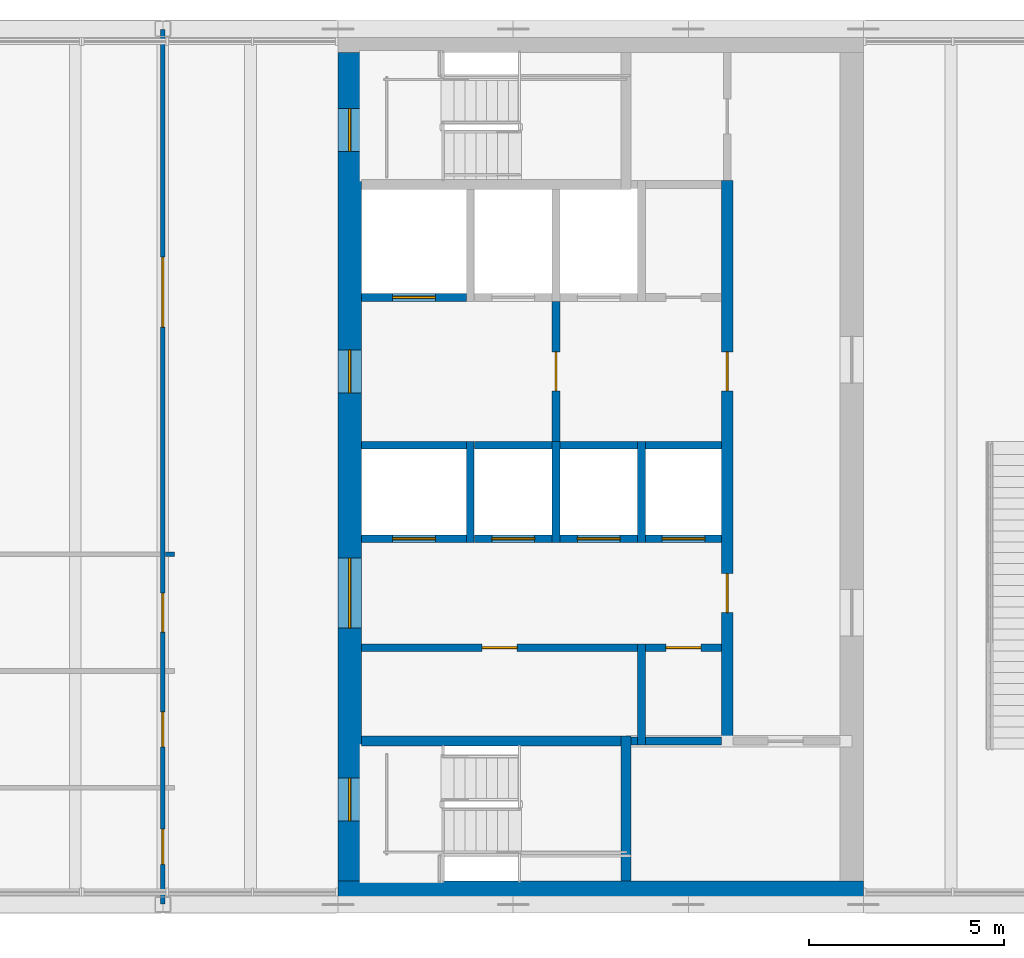
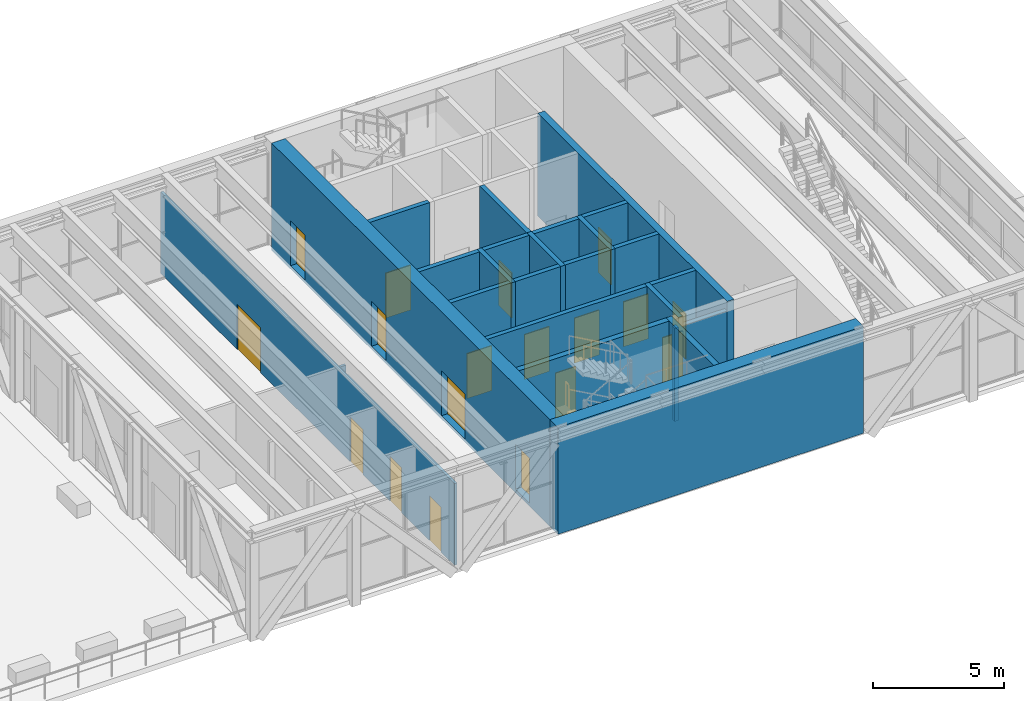
# One storey, part 8 of 13: 25 walls, 18 doors, 18 openings.
"""IFC4 building model written with IfcOpenShell, lengths in metres."""

from ifc_helpers import new_model, si_unit, direction, frame, frame_2d, origin, place, context, subcontext, project, spatial, rectangle, extrude, material, layer, layer_set, type_object, element, fill, save


model = new_model("IFC4")

# Units and contexts
model_context = context("Model", 3, precision=1e-05, world=origin(), true_north=direction((0.0, 1.0)))
body_context = subcontext(model_context, "Body", "Model", "MODEL_VIEW")
ifc_project = project(units=[si_unit("LENGTHUNIT", "METRE"), si_unit("AREAUNIT", "SQUARE_METRE"), si_unit("VOLUMEUNIT", "CUBIC_METRE"), si_unit("PLANEANGLEUNIT", "RADIAN"), si_unit("MASSUNIT", "GRAM", prefix="KILO")], contexts=[model_context])

# Site, building, storey
site_placement = place(None, origin())
site = spatial("IfcSite", under=ifc_project, at=site_placement, CompositionType="ELEMENT")
building_placement = place(site_placement, origin())
building = spatial("IfcBuilding", under=site, at=building_placement, Name="Sennacour Bend Tower", CompositionType="ELEMENT")
storey_placement = place(building_placement, frame((0.0, 0.0, 345.5)))
storey = spatial("IfcBuildingStorey", under=building, at=storey_placement, Name="L79", CompositionType="ELEMENT", Elevation=345.5)

# Wall
ifc_material_1 = material(Name="Concrete C50/60", Category="concrete")
ifc_layer_1 = layer(ifc_material_1, 0.60009765625, Name="Concrete C50/60", Category="concrete")
ifc_layer_set_1 = layer_set([ifc_layer_1], Name="Concrete C50/60")
wall_type_1 = type_object("IfcWallType", Name="Core wall 600 C50/60", PredefinedType="SHEAR", material=ifc_layer_set_1)
wall_1_placement = place(storey_placement, frame((67.5, 0.300048828125, -0.14990234375), z_axis=(0.0, 0.0, 1.0), x_axis=(-1.0, 0.0, 0.0)))
element("IfcWall", 1, at=wall_1_placement, inside=storey, type_object=wall_type_1, Name="Core A wall L79 S", PredefinedType="SHEAR", context=body_context, shape_type="SweptSolid", body=[
    extrude(rectangle(XDim=13.5, YDim=0.60009765625, at=frame_2d((6.75, 0.0))), origin(), (0.0, 0.0, 1.0), 5.0),
])

# Wall, openings, doors
wall_2_placement = place(storey_placement, frame((54.300048828125, 0.60009765625, -0.14990234375), z_axis=(0.0, 0.0, 1.0), x_axis=(0.0, 1.0, 0.0)))
wall_2 = element("IfcWall", 2, at=wall_2_placement, inside=storey, type_object=wall_type_1, Name="Core A wall L79 W", PredefinedType="SHEAR", context=body_context, shape_type="SweptSolid", body=[
    extrude(rectangle(XDim=21.2998046875, YDim=0.60009765625, at=frame_2d((10.64990234375, 0.0))), origin(), (0.0, 0.0, 1.0), 5.0),
])
opening_1_placement = place(wall_2_placement, frame((6.5, 0.0, 0.14990234375)))
opening_1 = element("IfcOpeningElement", 3, at=opening_1_placement, cuts=wall_2, Name="Opening CD", PredefinedType="OPENING", context=body_context, shape_type="SweptSolid", body=[
    extrude(rectangle(XDim=1.800048828125, YDim=2.10009765625, at=frame_2d((0.89990234375, 1.050048828125))), frame((0.0, 0.31005859375, 0.0), z_axis=(0.0, -1.0, 0.0), x_axis=(1.0, 0.0, 0.0)), (0.0, 0.0, 1.0), 0.6201171875),
])
opening_2_placement = place(wall_2_placement, frame((12.550048828125, 0.0, 0.14990234375)))
opening_2 = element("IfcOpeningElement", 4, at=opening_2_placement, cuts=wall_2, Name="Opening FD", PredefinedType="OPENING", context=body_context, shape_type="SweptSolid", body=[
    extrude(rectangle(XDim=1.10009765625, YDim=2.10009765625, at=frame_2d((0.550048828125, 1.050048828125))), frame((0.0, 0.31005859375, 0.0), z_axis=(0.0, -1.0, 0.0), x_axis=(1.0, 0.0, 0.0)), (0.0, 0.0, 1.0), 0.6201171875),
])
opening_3_placement = place(wall_2_placement, frame((1.550048828125, 0.0, 0.14990234375)))
opening_3 = element("IfcOpeningElement", 5, at=opening_3_placement, cuts=wall_2, Name="Opening SD", PredefinedType="OPENING", context=body_context, shape_type="SweptSolid", body=[
    extrude(rectangle(XDim=1.10009765625, YDim=2.10009765625, at=frame_2d((0.550048828125, 1.050048828125))), frame((0.0, 0.31005859375, 0.0), z_axis=(0.0, -1.0, 0.0), x_axis=(1.0, 0.0, 0.0)), (0.0, 0.0, 1.0), 0.6201171875),
])
opening_4_placement = place(wall_2_placement, frame((18.75, 0.0, 0.14990234375)))
opening_4 = element("IfcOpeningElement", 6, at=opening_4_placement, cuts=wall_2, Name="Opening SD", PredefinedType="OPENING", context=body_context, shape_type="SweptSolid", body=[
    extrude(rectangle(XDim=1.10009765625, YDim=2.10009765625, at=frame_2d((0.550048828125, 1.050048828125))), frame((0.0, 0.31005859375, 0.0), z_axis=(0.0, -1.0, 0.0), x_axis=(1.0, 0.0, 0.0)), (0.0, 0.0, 1.0), 0.6201171875),
])
ifc_material_2 = material(Name="Painted steel", Category="steel")
door_type_1 = type_object("IfcDoorType", Name="DR-FFL-1100", OperationType="NOTDEFINED", PredefinedType="DOOR", material=ifc_material_2)
door_1_placement = place(opening_2_placement, origin())
door_1 = element("IfcDoor", 7, at=door_1_placement, inside=storey, type_object=door_type_1, Name="Door", OperationType="SINGLE_SWING_RIGHT", OverallHeight=2.10009765625, OverallWidth=1.10009765625, PredefinedType="DOOR", context=body_context, shape_type="SweptSolid", body=[
    extrude(rectangle(XDim=1.10009765625, YDim=2.10009765625, at=frame_2d((0.550048828125, 1.050048828125))), frame((0.0, 0.02490234375, 0.0), z_axis=(0.0, -1.0, 0.0), x_axis=(1.0, 0.0, 0.0)), (0.0, 0.0, 1.0), 0.050048828125),
])
fill(opening_2, door_1)
door_type_2 = type_object("IfcDoorType", Name="DR-LOBBY-1800", OperationType="NOTDEFINED", PredefinedType="DOOR", material=ifc_material_2)
door_2_placement = place(opening_1_placement, origin())
door_2 = element("IfcDoor", 8, at=door_2_placement, inside=storey, type_object=door_type_2, Name="Door", OperationType="DOUBLE_DOOR_SINGLE_SWING", OverallHeight=2.10009765625, OverallWidth=1.800048828125, PredefinedType="DOOR", context=body_context, shape_type="SweptSolid", body=[
    extrude(rectangle(XDim=1.800048828125, YDim=2.10009765625, at=frame_2d((0.89990234375, 1.050048828125))), frame((0.0, 0.02490234375, 0.0), z_axis=(0.0, -1.0, 0.0), x_axis=(1.0, 0.0, 0.0)), (0.0, 0.0, 1.0), 0.050048828125),
])
fill(opening_1, door_2)
door_type_3 = type_object("IfcDoorType", Name="DR-STAIR-1100", OperationType="NOTDEFINED", PredefinedType="DOOR", material=ifc_material_2)
door_3_placement = place(opening_3_placement, origin())
door_3 = element("IfcDoor", 9, at=door_3_placement, inside=storey, type_object=door_type_3, Name="Door", OperationType="SINGLE_SWING_LEFT", OverallHeight=2.10009765625, OverallWidth=1.10009765625, PredefinedType="DOOR", context=body_context, shape_type="SweptSolid", body=[
    extrude(rectangle(XDim=1.10009765625, YDim=2.10009765625, at=frame_2d((0.550048828125, 1.050048828125))), frame((0.0, 0.02490234375, 0.0), z_axis=(0.0, -1.0, 0.0), x_axis=(1.0, 0.0, 0.0)), (0.0, 0.0, 1.0), 0.050048828125),
])
fill(opening_3, door_3)
door_4_placement = place(opening_4_placement, origin())
door_4 = element("IfcDoor", 10, at=door_4_placement, inside=storey, type_object=door_type_3, Name="Door", OperationType="SINGLE_SWING_RIGHT", OverallHeight=2.10009765625, OverallWidth=1.10009765625, PredefinedType="DOOR", context=body_context, shape_type="SweptSolid", body=[
    extrude(rectangle(XDim=1.10009765625, YDim=2.10009765625, at=frame_2d((0.550048828125, 1.050048828125))), frame((0.0, 0.02490234375, 0.0), z_axis=(0.0, -1.0, 0.0), x_axis=(1.0, 0.0, 0.0)), (0.0, 0.0, 1.0), 0.050048828125),
])
fill(opening_4, door_4)

# Wall
ifc_material_3 = material(Name="Plasterboard partition on steel studs", Category="steel")
ifc_layer_2 = layer(ifc_material_3, 0.1201171875, Name="Plasterboard partition on steel studs", Category="steel")
ifc_layer_set_2 = layer_set([ifc_layer_2], Name="Plasterboard partition on steel studs")
wall_type_2 = type_object("IfcWallType", Name="Partition 120", PredefinedType="PARTITIONING", material=ifc_layer_set_2)
wall_3_placement = place(storey_placement, frame((49.56005859375, 9.0, 0.0), z_axis=(0.0, 0.0, 1.0), x_axis=(1.0, 0.0, 0.0)))
element("IfcWall", 11, at=wall_3_placement, inside=storey, type_object=wall_type_2, Name="P-L79-W032ac", PredefinedType="PARTITIONING", context=body_context, shape_type="SweptSolid", body=[
    extrude(rectangle(XDim=0.239990234375, YDim=0.1201171875, at=frame_2d((0.1201171875, 0.0))), origin(), (0.0, 0.0, 1.0), 3.808837890625),
])

# Wall, openings, doors
ifc_layer_3 = layer(ifc_material_3, 0.1201171875, Name="Plasterboard partition on steel studs", Category="steel")
ifc_layer_set_3 = layer_set([ifc_layer_3], Name="Plasterboard partition on steel studs")
wall_type_3 = type_object("IfcWallType", Name="Partition 120 EI 60", PredefinedType="PARTITIONING", material=ifc_layer_set_3)
wall_4_placement = place(storey_placement, frame((49.5, 0.010009765625, 0.0), z_axis=(0.0, 0.0, 1.0), x_axis=(0.0, 1.0, 0.0)))
wall_4 = element("IfcWall", 12, at=wall_4_placement, inside=storey, type_object=wall_type_3, Name="P-L79-W007a", PredefinedType="PARTITIONING", context=body_context, shape_type="SweptSolid", body=[
    extrude(rectangle(XDim=22.47998046875, YDim=0.1201171875, at=frame_2d((11.239990234375, 0.0))), origin(), (0.0, 0.0, 1.0), 3.808837890625),
])
opening_5_placement = place(wall_4_placement, frame((1.02490234375, 0.0, 0.0)))
opening_5 = element("IfcOpeningElement", 13, at=opening_5_placement, cuts=wall_4, Name="Opening WD", PredefinedType="OPENING", context=body_context, shape_type="SweptSolid", body=[
    extrude(rectangle(XDim=0.89990234375, YDim=2.10009765625, at=frame_2d((0.449951171875, 1.050048828125))), frame((0.0, 0.070068359375, 0.0), z_axis=(0.0, -1.0, 0.0), x_axis=(1.0, 0.0, 0.0)), (0.0, 0.0, 1.0), 0.14013671875),
])
opening_6_placement = place(wall_4_placement, frame((4.0400390625, 0.0, 0.0)))
opening_6 = element("IfcOpeningElement", 14, at=opening_6_placement, cuts=wall_4, Name="Opening WD", PredefinedType="OPENING", context=body_context, shape_type="SweptSolid", body=[
    extrude(rectangle(XDim=0.89990234375, YDim=2.10009765625, at=frame_2d((0.449951171875, 1.050048828125))), frame((0.0, 0.070068359375, 0.0), z_axis=(0.0, -1.0, 0.0), x_axis=(1.0, 0.0, 0.0)), (0.0, 0.0, 1.0), 0.14013671875),
])
opening_7_placement = place(wall_4_placement, frame((6.989990234375, 0.0, 0.0)))
opening_7 = element("IfcOpeningElement", 15, at=opening_7_placement, cuts=wall_4, Name="Opening AD", PredefinedType="OPENING", context=body_context, shape_type="SweptSolid", body=[
    extrude(rectangle(XDim=1.0, YDim=2.10009765625, at=frame_2d((0.5, 1.050048828125))), frame((0.0, 0.070068359375, 0.0), z_axis=(0.0, -1.0, 0.0), x_axis=(1.0, 0.0, 0.0)), (0.0, 0.0, 1.0), 0.14013671875),
])
opening_8_placement = place(wall_4_placement, frame((14.824951171875, 0.0, 0.0)))
opening_8 = element("IfcOpeningElement", 16, at=opening_8_placement, cuts=wall_4, Name="Opening CD", PredefinedType="OPENING", context=body_context, shape_type="SweptSolid", body=[
    extrude(rectangle(XDim=1.800048828125, YDim=2.10009765625, at=frame_2d((0.89990234375, 1.050048828125))), frame((0.0, 0.070068359375, 0.0), z_axis=(0.0, -1.0, 0.0), x_axis=(1.0, 0.0, 0.0)), (0.0, 0.0, 1.0), 0.14013671875),
])
ifc_material_4 = material(Name="Timber", Category="wood")
door_type_4 = type_object("IfcDoorType", Name="DR-ACC-WC-1000", OperationType="NOTDEFINED", PredefinedType="DOOR", material=ifc_material_4)
door_5_placement = place(opening_7_placement, origin())
door_5 = element("IfcDoor", 17, at=door_5_placement, inside=storey, type_object=door_type_4, Name="Door", OperationType="SINGLE_SWING_LEFT", OverallHeight=2.10009765625, OverallWidth=1.0, PredefinedType="DOOR", context=body_context, shape_type="SweptSolid", body=[
    extrude(rectangle(XDim=1.0, YDim=2.10009765625, at=frame_2d((0.5, 1.050048828125))), frame((0.0, 0.02490234375, 0.0), z_axis=(0.0, -1.0, 0.0), x_axis=(1.0, 0.0, 0.0)), (0.0, 0.0, 1.0), 0.050048828125),
])
fill(opening_7, door_5)
door_6_placement = place(opening_8_placement, origin())
door_6 = element("IfcDoor", 18, at=door_6_placement, inside=storey, type_object=door_type_2, Name="Door", OperationType="DOUBLE_DOOR_SINGLE_SWING", OverallHeight=2.10009765625, OverallWidth=1.800048828125, PredefinedType="DOOR", context=body_context, shape_type="SweptSolid", body=[
    extrude(rectangle(XDim=1.800048828125, YDim=2.10009765625, at=frame_2d((0.89990234375, 1.050048828125))), frame((0.0, 0.02490234375, 0.0), z_axis=(0.0, -1.0, 0.0), x_axis=(1.0, 0.0, 0.0)), (0.0, 0.0, 1.0), 0.050048828125),
])
fill(opening_8, door_6)
door_type_5 = type_object("IfcDoorType", Name="DR-WC-900", OperationType="NOTDEFINED", PredefinedType="DOOR", material=ifc_material_4)
door_7_placement = place(opening_5_placement, origin())
door_7 = element("IfcDoor", 19, at=door_7_placement, inside=storey, type_object=door_type_5, Name="Door", OperationType="SINGLE_SWING_LEFT", OverallHeight=2.10009765625, OverallWidth=0.89990234375, PredefinedType="DOOR", context=body_context, shape_type="SweptSolid", body=[
    extrude(rectangle(XDim=0.89990234375, YDim=2.10009765625, at=frame_2d((0.449951171875, 1.050048828125))), frame((0.0, 0.02490234375, 0.0), z_axis=(0.0, -1.0, 0.0), x_axis=(1.0, 0.0, 0.0)), (0.0, 0.0, 1.0), 0.050048828125),
])
fill(opening_5, door_7)
door_8_placement = place(opening_6_placement, origin())
door_8 = element("IfcDoor", 20, at=door_8_placement, inside=storey, type_object=door_type_5, Name="Door", OperationType="SINGLE_SWING_LEFT", OverallHeight=2.10009765625, OverallWidth=0.89990234375, PredefinedType="DOOR", context=body_context, shape_type="SweptSolid", body=[
    extrude(rectangle(XDim=0.89990234375, YDim=2.10009765625, at=frame_2d((0.449951171875, 1.050048828125))), frame((0.0, 0.02490234375, 0.0), z_axis=(0.0, -1.0, 0.0), x_axis=(1.0, 0.0, 0.0)), (0.0, 0.0, 1.0), 0.050048828125),
])
fill(opening_6, door_8)

# Walls
ifc_material_5 = material(Name="Fire-rated plasterboard partition on steel studs", Category="steel")
ifc_layer_4 = layer(ifc_material_5, 0.199951171875, Name="Fire-rated plasterboard partition on steel studs", Category="steel")
ifc_layer_set_4 = layer_set([ifc_layer_4], Name="Fire-rated plasterboard partition on steel studs")
wall_type_4 = type_object("IfcWallType", Name="Rated partition 200", PredefinedType="PARTITIONING", material=ifc_layer_set_4)
wall_5_placement = place(storey_placement, frame((61.800048828125, 4.10009765625, 0.0), z_axis=(0.0, 0.0, 1.0), x_axis=(0.0, 1.0, 0.0)))
element("IfcWall", 21, at=wall_5_placement, inside=storey, type_object=wall_type_4, Name="P-L79-W015", PredefinedType="PARTITIONING", context=body_context, shape_type="SweptSolid", body=[
    extrude(rectangle(XDim=2.599853515625, YDim=0.199951171875, at=frame_2d((1.2998046875, 0.0))), origin(), (0.0, 0.0, 1.0), 4.800048828125),
])
wall_6_placement = place(storey_placement, frame((61.52490234375, 4.199951171875, 0.0), z_axis=(0.0, 0.0, 1.0), x_axis=(1.0, 0.0, 0.0)))
element("IfcWall", 22, at=wall_6_placement, inside=storey, type_object=wall_type_4, Name="P-L79-W028a", PredefinedType="PARTITIONING", context=body_context, shape_type="SweptSolid", body=[
    extrude(rectangle(XDim=0.175048828125, YDim=0.199951171875, at=frame_2d((0.08740234375, 0.0))), origin(), (0.0, 0.0, 1.0), 4.35009765625),
])
wall_7_placement = place(storey_placement, frame((61.89990234375, 4.199951171875, 0.0), z_axis=(0.0, 0.0, 1.0), x_axis=(1.0, 0.0, 0.0)))
element("IfcWall", 23, at=wall_7_placement, inside=storey, type_object=wall_type_4, Name="P-L79-W028b", PredefinedType="PARTITIONING", context=body_context, shape_type="SweptSolid", body=[
    extrude(rectangle(XDim=1.9501953125, YDim=0.199951171875, at=frame_2d((0.97509765625, 0.0))), origin(), (0.0, 0.0, 1.0), 4.35009765625),
])

# Wall, opening, door
wall_8_placement = place(storey_placement, frame((54.60009765625, 6.60009765625, 0.0), z_axis=(0.0, 0.0, 1.0), x_axis=(1.0, 0.0, 0.0)))
wall_8 = element("IfcWall", 24, at=wall_8_placement, inside=storey, type_object=wall_type_4, Name="P-L79-W030a", PredefinedType="PARTITIONING", context=body_context, shape_type="SweptSolid", body=[
    extrude(rectangle(XDim=7.099853515625, YDim=0.199951171875, at=frame_2d((3.5498046875, 0.0))), origin(), (0.0, 0.0, 1.0), 4.800048828125),
])
opening_9_placement = place(wall_8_placement, frame((3.099853515625, 0.0, 0.0)))
opening_9 = element("IfcOpeningElement", 25, at=opening_9_placement, cuts=wall_8, Name="Opening SV", PredefinedType="OPENING", context=body_context, shape_type="SweptSolid", body=[
    extrude(rectangle(XDim=0.89990234375, YDim=2.10009765625, at=frame_2d((0.449951171875, 1.050048828125))), frame((0.0, 0.10986328125, 0.0), z_axis=(0.0, -1.0, 0.0), x_axis=(1.0, 0.0, 0.0)), (0.0, 0.0, 1.0), 0.219970703125),
])
door_type_6 = type_object("IfcDoorType", Name="DR-SERVICE-900", OperationType="NOTDEFINED", PredefinedType="DOOR", material=ifc_material_2)
door_9_placement = place(opening_9_placement, origin())
door_9 = element("IfcDoor", 26, at=door_9_placement, inside=storey, type_object=door_type_6, Name="Door", OperationType="SINGLE_SWING_LEFT", OverallHeight=2.10009765625, OverallWidth=0.89990234375, PredefinedType="DOOR", context=body_context, shape_type="SweptSolid", body=[
    extrude(rectangle(XDim=0.89990234375, YDim=2.10009765625, at=frame_2d((0.449951171875, 1.050048828125))), frame((0.0, 0.02490234375, 0.0), z_axis=(0.0, -1.0, 0.0), x_axis=(1.0, 0.0, 0.0)), (0.0, 0.0, 1.0), 0.050048828125),
])
fill(opening_9, door_9)

wall_9_placement = place(storey_placement, frame((61.89990234375, 6.60009765625, 0.0), z_axis=(0.0, 0.0, 1.0), x_axis=(1.0, 0.0, 0.0)))
wall_9 = element("IfcWall", 27, at=wall_9_placement, inside=storey, type_object=wall_type_4, Name="P-L79-W030b", PredefinedType="PARTITIONING", context=body_context, shape_type="SweptSolid", body=[
    extrude(rectangle(XDim=1.9501953125, YDim=0.199951171875, at=frame_2d((0.97509765625, 0.0))), origin(), (0.0, 0.0, 1.0), 4.800048828125),
])
opening_10_placement = place(wall_9_placement, frame((0.525146484375, 0.0, 0.0)))
opening_10 = element("IfcOpeningElement", 28, at=opening_10_placement, cuts=wall_9, Name="Opening SV", PredefinedType="OPENING", context=body_context, shape_type="SweptSolid", body=[
    extrude(rectangle(XDim=0.89990234375, YDim=2.10009765625, at=frame_2d((0.449951171875, 1.050048828125))), frame((0.0, 0.10986328125, 0.0), z_axis=(0.0, -1.0, 0.0), x_axis=(1.0, 0.0, 0.0)), (0.0, 0.0, 1.0), 0.219970703125),
])
door_10_placement = place(opening_10_placement, origin())
door_10 = element("IfcDoor", 29, at=door_10_placement, inside=storey, type_object=door_type_6, Name="Door", OperationType="SINGLE_SWING_RIGHT", OverallHeight=2.10009765625, OverallWidth=0.89990234375, PredefinedType="DOOR", context=body_context, shape_type="SweptSolid", body=[
    extrude(rectangle(XDim=0.89990234375, YDim=2.10009765625, at=frame_2d((0.449951171875, 1.050048828125))), frame((0.0, 0.02490234375, 0.0), z_axis=(0.0, -1.0, 0.0), x_axis=(1.0, 0.0, 0.0)), (0.0, 0.0, 1.0), 0.050048828125),
])
fill(opening_10, door_10)

ifc_layer_5 = layer(ifc_material_5, 0.199951171875, Name="Fire-rated plasterboard partition on steel studs", Category="steel")
ifc_layer_set_5 = layer_set([ifc_layer_5], Name="Fire-rated plasterboard partition on steel studs")
wall_type_5 = type_object("IfcWallType", Name="Rated partition 200 EI 90", PredefinedType="PARTITIONING", material=ifc_layer_set_5)
wall_10_placement = place(storey_placement, frame((59.60009765625, 11.89990234375, 0.0), z_axis=(0.0, 0.0, 1.0), x_axis=(0.0, 1.0, 0.0)))
wall_10 = element("IfcWall", 30, at=wall_10_placement, inside=storey, type_object=wall_type_5, Name="P-L79-W011", PredefinedType="PARTITIONING", context=body_context, shape_type="SweptSolid", body=[
    extrude(rectangle(XDim=3.60009765625, YDim=0.199951171875, at=frame_2d((1.800048828125, 0.0))), origin(), (0.0, 0.0, 1.0), 4.800048828125),
])
opening_11_placement = place(wall_10_placement, frame((1.300048828125, 0.0, 0.0)))
opening_11 = element("IfcOpeningElement", 31, at=opening_11_placement, cuts=wall_10, Name="Opening FD2", PredefinedType="OPENING", context=body_context, shape_type="SweptSolid", body=[
    extrude(rectangle(XDim=1.0, YDim=2.10009765625, at=frame_2d((0.5, 1.050048828125))), frame((0.0, 0.10986328125, 0.0), z_axis=(0.0, -1.0, 0.0), x_axis=(1.0, 0.0, 0.0)), (0.0, 0.0, 1.0), 0.219970703125),
])
door_type_7 = type_object("IfcDoorType", Name="DR-FFL-1000", OperationType="NOTDEFINED", PredefinedType="DOOR", material=ifc_material_2)
door_11_placement = place(opening_11_placement, origin())
door_11 = element("IfcDoor", 32, at=door_11_placement, inside=storey, type_object=door_type_7, Name="Door", OperationType="SINGLE_SWING_LEFT", OverallHeight=2.10009765625, OverallWidth=1.0, PredefinedType="DOOR", context=body_context, shape_type="SweptSolid", body=[
    extrude(rectangle(XDim=1.0, YDim=2.10009765625, at=frame_2d((0.5, 1.050048828125))), frame((0.0, 0.02490234375, 0.0), z_axis=(0.0, -1.0, 0.0), x_axis=(1.0, 0.0, 0.0)), (0.0, 0.0, 1.0), 0.050048828125),
])
fill(opening_11, door_11)

# Walls
ifc_layer_6 = layer(ifc_material_1, 0.199951171875, Name="Concrete C50/60", Category="concrete")
ifc_layer_set_6 = layer_set([ifc_layer_6], Name="Concrete C50/60")
wall_type_6 = type_object("IfcWallType", Name="Shaft wall 200", PredefinedType="SOLIDWALL", material=ifc_layer_set_6)
for number, where, z_axis, x_axis, name in (
    (33, (57.39990234375, 9.300048828125, 0.0), (0.0, 0.0, 1.0), (0.0, 1.0, 0.0), "P-L79-W008"),
    (34, (59.60009765625, 9.300048828125, 0.0), (0.0, 0.0, 1.0), (0.0, 1.0, 0.0), "P-L79-W010"),
    (35, (61.800048828125, 9.300048828125, 0.0), (0.0, 0.0, 1.0), (0.0, 1.0, 0.0), "P-L79-W016"),
):
    element("IfcWall", number, at=place(storey_placement, frame(where, z_axis=z_axis, x_axis=x_axis)), inside=storey, type_object=wall_type_6, Name=name, PredefinedType="SOLIDWALL", context=body_context, shape_type="SweptSolid", body=[
        extrude(rectangle(XDim=2.599853515625, YDim=0.199951171875, at=frame_2d((1.2998046875, 0.0))), origin(), (0.0, 0.0, 1.0), 4.800048828125),
    ])

# Wall, opening, door
wall_11_placement = place(storey_placement, frame((54.60009765625, 9.39990234375, 0.0), z_axis=(0.0, 0.0, 1.0), x_axis=(1.0, 0.0, 0.0)))
wall_11 = element("IfcWall", 36, at=wall_11_placement, inside=storey, type_object=wall_type_6, Name="P-L79-W033a", PredefinedType="SOLIDWALL", context=body_context, shape_type="SweptSolid", body=[
    extrude(rectangle(XDim=2.699951171875, YDim=0.199951171875, at=frame_2d((1.35009765625, 0.0))), origin(), (0.0, 0.0, 1.0), 4.800048828125),
])
opening_12_placement = place(wall_11_placement, frame((0.7998046875, 0.0, 0.011962890625)))
opening_12 = element("IfcOpeningElement", 37, at=opening_12_placement, cuts=wall_11, Name="Opening LD", PredefinedType="OPENING", context=body_context, shape_type="SweptSolid", body=[
    extrude(rectangle(XDim=1.10009765625, YDim=2.10009765625, at=frame_2d((0.550048828125, 1.050048828125))), frame((0.0, 0.10986328125, 0.0), z_axis=(0.0, -1.0, 0.0), x_axis=(1.0, 0.0, 0.0)), (0.0, 0.0, 1.0), 0.219970703125),
])
ifc_material_6 = material(Name="Stainless steel", Category="steel")
door_type_8 = type_object("IfcDoorType", Name="DR-LANDING-1100", OperationType="NOTDEFINED", PredefinedType="DOOR", material=ifc_material_6)
door_12_placement = place(opening_12_placement, origin())
door_12 = element("IfcDoor", 38, at=door_12_placement, inside=storey, type_object=door_type_8, Name="Lift landing door HA1", OperationType="SLIDING_TO_LEFT", OverallHeight=2.10009765625, OverallWidth=1.10009765625, PredefinedType="DOOR", context=body_context, shape_type="SweptSolid", body=[
    extrude(rectangle(XDim=1.10009765625, YDim=2.10009765625, at=frame_2d((0.550048828125, 1.050048828125))), frame((0.0, 0.02490234375, 0.0), z_axis=(0.0, -1.0, 0.0), x_axis=(1.0, 0.0, 0.0)), (0.0, 0.0, 1.0), 0.050048828125),
])
fill(opening_12, door_12)

wall_12_placement = place(storey_placement, frame((57.5, 9.39990234375, 0.0), z_axis=(0.0, 0.0, 1.0), x_axis=(1.0, 0.0, 0.0)))
wall_12 = element("IfcWall", 39, at=wall_12_placement, inside=storey, type_object=wall_type_6, Name="P-L79-W033b", PredefinedType="SOLIDWALL", context=body_context, shape_type="SweptSolid", body=[
    extrude(rectangle(XDim=2.0, YDim=0.199951171875, at=frame_2d((1.0, 0.0))), origin(), (0.0, 0.0, 1.0), 4.800048828125),
])
opening_13_placement = place(wall_12_placement, frame((0.449951171875, 0.0, 0.011962890625)))
opening_13 = element("IfcOpeningElement", 40, at=opening_13_placement, cuts=wall_12, Name="Opening LD", PredefinedType="OPENING", context=body_context, shape_type="SweptSolid", body=[
    extrude(rectangle(XDim=1.10009765625, YDim=2.10009765625, at=frame_2d((0.550048828125, 1.050048828125))), frame((0.0, 0.10986328125, 0.0), z_axis=(0.0, -1.0, 0.0), x_axis=(1.0, 0.0, 0.0)), (0.0, 0.0, 1.0), 0.219970703125),
])
door_13_placement = place(opening_13_placement, origin())
door_13 = element("IfcDoor", 41, at=door_13_placement, inside=storey, type_object=door_type_8, Name="Lift landing door HA2", OperationType="SLIDING_TO_RIGHT", OverallHeight=2.10009765625, OverallWidth=1.10009765625, PredefinedType="DOOR", context=body_context, shape_type="SweptSolid", body=[
    extrude(rectangle(XDim=1.10009765625, YDim=2.10009765625, at=frame_2d((0.550048828125, 1.050048828125))), frame((0.0, 0.02490234375, 0.0), z_axis=(0.0, -1.0, 0.0), x_axis=(1.0, 0.0, 0.0)), (0.0, 0.0, 1.0), 0.050048828125),
])
fill(opening_13, door_13)

wall_13_placement = place(storey_placement, frame((59.699951171875, 9.39990234375, 0.0), z_axis=(0.0, 0.0, 1.0), x_axis=(1.0, 0.0, 0.0)))
wall_13 = element("IfcWall", 42, at=wall_13_placement, inside=storey, type_object=wall_type_6, Name="P-L79-W033c", PredefinedType="SOLIDWALL", context=body_context, shape_type="SweptSolid", body=[
    extrude(rectangle(XDim=2.0, YDim=0.199951171875, at=frame_2d((1.0, 0.0))), origin(), (0.0, 0.0, 1.0), 4.800048828125),
])
opening_14_placement = place(wall_13_placement, frame((0.449951171875, 0.0, 0.011962890625)))
opening_14 = element("IfcOpeningElement", 43, at=opening_14_placement, cuts=wall_13, Name="Opening LD", PredefinedType="OPENING", context=body_context, shape_type="SweptSolid", body=[
    extrude(rectangle(XDim=1.10009765625, YDim=2.10009765625, at=frame_2d((0.550048828125, 1.050048828125))), frame((0.0, 0.10986328125, 0.0), z_axis=(0.0, -1.0, 0.0), x_axis=(1.0, 0.0, 0.0)), (0.0, 0.0, 1.0), 0.219970703125),
])
door_14_placement = place(opening_14_placement, origin())
door_14 = element("IfcDoor", 44, at=door_14_placement, inside=storey, type_object=door_type_8, Name="Lift landing door HA3", OperationType="SLIDING_TO_LEFT", OverallHeight=2.10009765625, OverallWidth=1.10009765625, PredefinedType="DOOR", context=body_context, shape_type="SweptSolid", body=[
    extrude(rectangle(XDim=1.10009765625, YDim=2.10009765625, at=frame_2d((0.550048828125, 1.050048828125))), frame((0.0, 0.02490234375, 0.0), z_axis=(0.0, -1.0, 0.0), x_axis=(1.0, 0.0, 0.0)), (0.0, 0.0, 1.0), 0.050048828125),
])
fill(opening_14, door_14)

wall_14_placement = place(storey_placement, frame((61.89990234375, 9.39990234375, 0.0), z_axis=(0.0, 0.0, 1.0), x_axis=(1.0, 0.0, 0.0)))
wall_14 = element("IfcWall", 45, at=wall_14_placement, inside=storey, type_object=wall_type_6, Name="P-L79-W033d", PredefinedType="SOLIDWALL", context=body_context, shape_type="SweptSolid", body=[
    extrude(rectangle(XDim=1.9501953125, YDim=0.199951171875, at=frame_2d((0.97509765625, 0.0))), origin(), (0.0, 0.0, 1.0), 4.800048828125),
])
opening_15_placement = place(wall_14_placement, frame((0.425048828125, 0.0, 0.011962890625)))
opening_15 = element("IfcOpeningElement", 46, at=opening_15_placement, cuts=wall_14, Name="Opening LD", PredefinedType="OPENING", context=body_context, shape_type="SweptSolid", body=[
    extrude(rectangle(XDim=1.10009765625, YDim=2.10009765625, at=frame_2d((0.550048828125, 1.050048828125))), frame((0.0, 0.10986328125, 0.0), z_axis=(0.0, -1.0, 0.0), x_axis=(1.0, 0.0, 0.0)), (0.0, 0.0, 1.0), 0.219970703125),
])
door_15_placement = place(opening_15_placement, origin())
door_15 = element("IfcDoor", 47, at=door_15_placement, inside=storey, type_object=door_type_8, Name="Lift landing door HA4", OperationType="SLIDING_TO_RIGHT", OverallHeight=2.10009765625, OverallWidth=1.10009765625, PredefinedType="DOOR", context=body_context, shape_type="SweptSolid", body=[
    extrude(rectangle(XDim=1.10009765625, YDim=2.10009765625, at=frame_2d((0.550048828125, 1.050048828125))), frame((0.0, 0.02490234375, 0.0), z_axis=(0.0, -1.0, 0.0), x_axis=(1.0, 0.0, 0.0)), (0.0, 0.0, 1.0), 0.050048828125),
])
fill(opening_15, door_15)

# Walls
wall_15_placement = place(storey_placement, frame((54.60009765625, 11.800048828125, 0.0), z_axis=(0.0, 0.0, 1.0), x_axis=(1.0, 0.0, 0.0)))
element("IfcWall", 48, at=wall_15_placement, inside=storey, type_object=wall_type_6, Name="P-L79-W034a", PredefinedType="SOLIDWALL", context=body_context, shape_type="SweptSolid", body=[
    extrude(rectangle(XDim=2.699951171875, YDim=0.199951171875, at=frame_2d((1.35009765625, 0.0))), origin(), (0.0, 0.0, 1.0), 4.800048828125),
])
for number, where, z_axis, x_axis, name in (
    (49, (57.5, 11.800048828125, 0.0), (0.0, 0.0, 1.0), (1.0, 0.0, 0.0), "P-L79-W034b"),
    (50, (59.699951171875, 11.800048828125, 0.0), (0.0, 0.0, 1.0), (1.0, 0.0, 0.0), "P-L79-W034c"),
):
    element("IfcWall", number, at=place(storey_placement, frame(where, z_axis=z_axis, x_axis=x_axis)), inside=storey, type_object=wall_type_6, Name=name, PredefinedType="SOLIDWALL", context=body_context, shape_type="SweptSolid", body=[
        extrude(rectangle(XDim=2.0, YDim=0.199951171875, at=frame_2d((1.0, 0.0))), origin(), (0.0, 0.0, 1.0), 4.800048828125),
    ])
wall_16_placement = place(storey_placement, frame((61.89990234375, 11.800048828125, 0.0), z_axis=(0.0, 0.0, 1.0), x_axis=(1.0, 0.0, 0.0)))
element("IfcWall", 51, at=wall_16_placement, inside=storey, type_object=wall_type_6, Name="P-L79-W034d", PredefinedType="SOLIDWALL", context=body_context, shape_type="SweptSolid", body=[
    extrude(rectangle(XDim=1.9501953125, YDim=0.199951171875, at=frame_2d((0.97509765625, 0.0))), origin(), (0.0, 0.0, 1.0), 4.800048828125),
])

# Wall, opening, door
wall_17_placement = place(storey_placement, frame((54.60009765625, 15.60009765625, 0.0), z_axis=(0.0, 0.0, 1.0), x_axis=(1.0, 0.0, 0.0)))
wall_17 = element("IfcWall", 52, at=wall_17_placement, inside=storey, type_object=wall_type_6, Name="P-L79-W035a", PredefinedType="SOLIDWALL", context=body_context, shape_type="SweptSolid", body=[
    extrude(rectangle(XDim=2.699951171875, YDim=0.199951171875, at=frame_2d((1.35009765625, 0.0))), origin(), (0.0, 0.0, 1.0), 4.800048828125),
])
opening_16_placement = place(wall_17_placement, frame((0.7998046875, 0.0, 0.011962890625)))
opening_16 = element("IfcOpeningElement", 53, at=opening_16_placement, cuts=wall_17, Name="Opening FLD", PredefinedType="OPENING", context=body_context, shape_type="SweptSolid", body=[
    extrude(rectangle(XDim=1.10009765625, YDim=2.10009765625, at=frame_2d((0.550048828125, 1.050048828125))), frame((0.0, 0.10986328125, 0.0), z_axis=(0.0, -1.0, 0.0), x_axis=(1.0, 0.0, 0.0)), (0.0, 0.0, 1.0), 0.219970703125),
])
door_type_9 = type_object("IfcDoorType", Name="DR-FF-LANDING-1100", OperationType="NOTDEFINED", PredefinedType="DOOR", material=ifc_material_6)
door_16_placement = place(opening_16_placement, origin())
door_16 = element("IfcDoor", 54, at=door_16_placement, inside=storey, type_object=door_type_9, Name="Fire service lift landing door FA1", OperationType="SLIDING_TO_LEFT", OverallHeight=2.10009765625, OverallWidth=1.10009765625, PredefinedType="DOOR", context=body_context, shape_type="SweptSolid", body=[
    extrude(rectangle(XDim=1.10009765625, YDim=2.10009765625, at=frame_2d((0.550048828125, 1.050048828125))), frame((0.0, 0.02490234375, 0.0), z_axis=(0.0, -1.0, 0.0), x_axis=(1.0, 0.0, 0.0)), (0.0, 0.0, 1.0), 0.050048828125),
])
fill(opening_16, door_16)

# Wall, openings, doors
ifc_material_7 = material(Name="Concrete C60/75", Category="concrete")
ifc_layer_7 = layer(ifc_material_7, 0.300048828125, Name="Concrete C60/75", Category="concrete")
ifc_layer_set_7 = layer_set([ifc_layer_7], Name="Concrete C60/75")
wall_type_7 = type_object("IfcWallType", Name="Spine wall 300", PredefinedType="SHEAR", material=ifc_layer_set_7)
wall_18_placement = place(storey_placement, frame((64.0, 4.10009765625, 0.0), z_axis=(0.0, 0.0, 1.0), x_axis=(0.0, 1.0, 0.0)))
wall_18 = element("IfcWall", 55, at=wall_18_placement, inside=storey, type_object=wall_type_7, Name="P-L79-W018", PredefinedType="SHEAR", context=body_context, shape_type="SweptSolid", body=[
    extrude(rectangle(XDim=14.5, YDim=0.300048828125, at=frame_2d((7.25, 0.0))), origin(), (0.0, 0.0, 1.0), 4.800048828125),
])
opening_17_placement = place(wall_18_placement, frame((3.39990234375, 0.0, 0.0)))
opening_17 = element("IfcOpeningElement", 56, at=opening_17_placement, cuts=wall_18, Name="Opening CD2", PredefinedType="OPENING", context=body_context, shape_type="SweptSolid", body=[
    extrude(rectangle(XDim=1.0, YDim=2.10009765625, at=frame_2d((0.5, 1.050048828125))), frame((0.0, 0.16015625, 0.0), z_axis=(0.0, -1.0, 0.0), x_axis=(1.0, 0.0, 0.0)), (0.0, 0.0, 1.0), 0.320068359375),
])
opening_18_placement = place(wall_18_placement, frame((9.099853515625, 0.0, 0.0)))
opening_18 = element("IfcOpeningElement", 57, at=opening_18_placement, cuts=wall_18, Name="Opening CD2", PredefinedType="OPENING", context=body_context, shape_type="SweptSolid", body=[
    extrude(rectangle(XDim=1.0, YDim=2.10009765625, at=frame_2d((0.5, 1.050048828125))), frame((0.0, 0.16015625, 0.0), z_axis=(0.0, -1.0, 0.0), x_axis=(1.0, 0.0, 0.0)), (0.0, 0.0, 1.0), 0.320068359375),
])
door_type_10 = type_object("IfcDoorType", Name="DR-LOBBY-1000", OperationType="NOTDEFINED", PredefinedType="DOOR", material=ifc_material_2)
door_17_placement = place(opening_17_placement, origin())
door_17 = element("IfcDoor", 58, at=door_17_placement, inside=storey, type_object=door_type_10, Name="Door", OperationType="SINGLE_SWING_LEFT", OverallHeight=2.10009765625, OverallWidth=1.0, PredefinedType="DOOR", context=body_context, shape_type="SweptSolid", body=[
    extrude(rectangle(XDim=1.0, YDim=2.10009765625, at=frame_2d((0.5, 1.050048828125))), frame((0.0, 0.02490234375, 0.0), z_axis=(0.0, -1.0, 0.0), x_axis=(1.0, 0.0, 0.0)), (0.0, 0.0, 1.0), 0.050048828125),
])
fill(opening_17, door_17)
door_18_placement = place(opening_18_placement, origin())
door_18 = element("IfcDoor", 59, at=door_18_placement, inside=storey, type_object=door_type_10, Name="Door", OperationType="SINGLE_SWING_RIGHT", OverallHeight=2.10009765625, OverallWidth=1.0, PredefinedType="DOOR", context=body_context, shape_type="SweptSolid", body=[
    extrude(rectangle(XDim=1.0, YDim=2.10009765625, at=frame_2d((0.5, 1.050048828125))), frame((0.0, 0.02490234375, 0.0), z_axis=(0.0, -1.0, 0.0), x_axis=(1.0, 0.0, 0.0)), (0.0, 0.0, 1.0), 0.050048828125),
])
fill(opening_18, door_18)

# Walls
ifc_layer_8 = layer(ifc_material_7, 0.25, Name="Concrete C60/75", Category="concrete")
ifc_layer_set_8 = layer_set([ifc_layer_8], Name="Concrete C60/75")
wall_type_8 = type_object("IfcWallType", Name="Stair wall 250", PredefinedType="SHEAR", material=ifc_layer_set_8)
wall_19_placement = place(storey_placement, frame((61.39990234375, 0.60009765625, 0.0), z_axis=(0.0, 0.0, 1.0), x_axis=(0.0, 1.0, 0.0)))
element("IfcWall", 60, at=wall_19_placement, inside=storey, type_object=wall_type_8, Name="P-L79-W013", PredefinedType="SHEAR", context=body_context, shape_type="SweptSolid", body=[
    extrude(rectangle(XDim=3.724853515625, YDim=0.25, at=frame_2d((1.8623046875, 0.0))), origin(), (0.0, 0.0, 1.0), 4.800048828125),
])
wall_20_placement = place(storey_placement, frame((54.60009765625, 4.199951171875, 0.0), z_axis=(0.0, 0.0, 1.0), x_axis=(1.0, 0.0, 0.0)))
element("IfcWall", 61, at=wall_20_placement, inside=storey, type_object=wall_type_8, Name="P-L79-W027", PredefinedType="SHEAR", context=body_context, shape_type="SweptSolid", body=[
    extrude(rectangle(XDim=6.6748046875, YDim=0.25, at=frame_2d((3.33740234375, 0.0))), origin(), (0.0, 0.0, 1.0), 4.800048828125),
])

save(model, "model.ifc")
